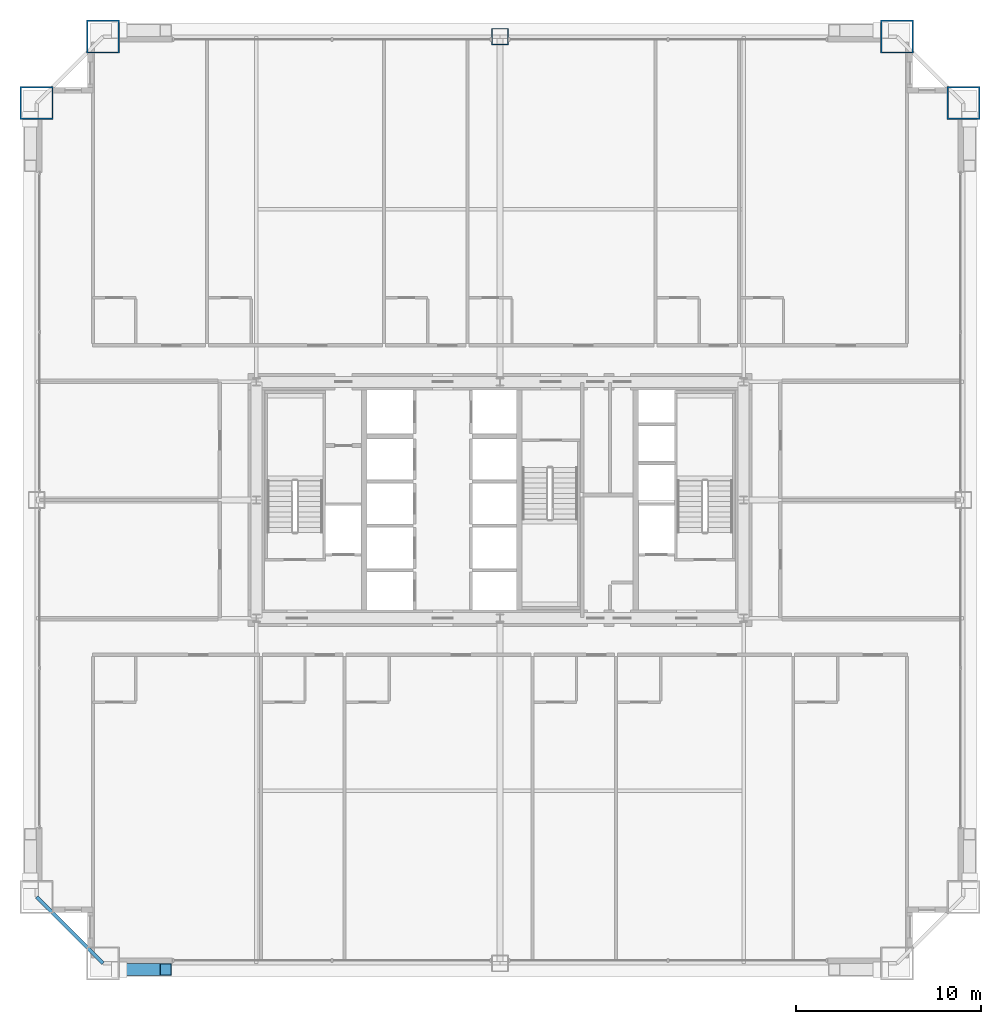
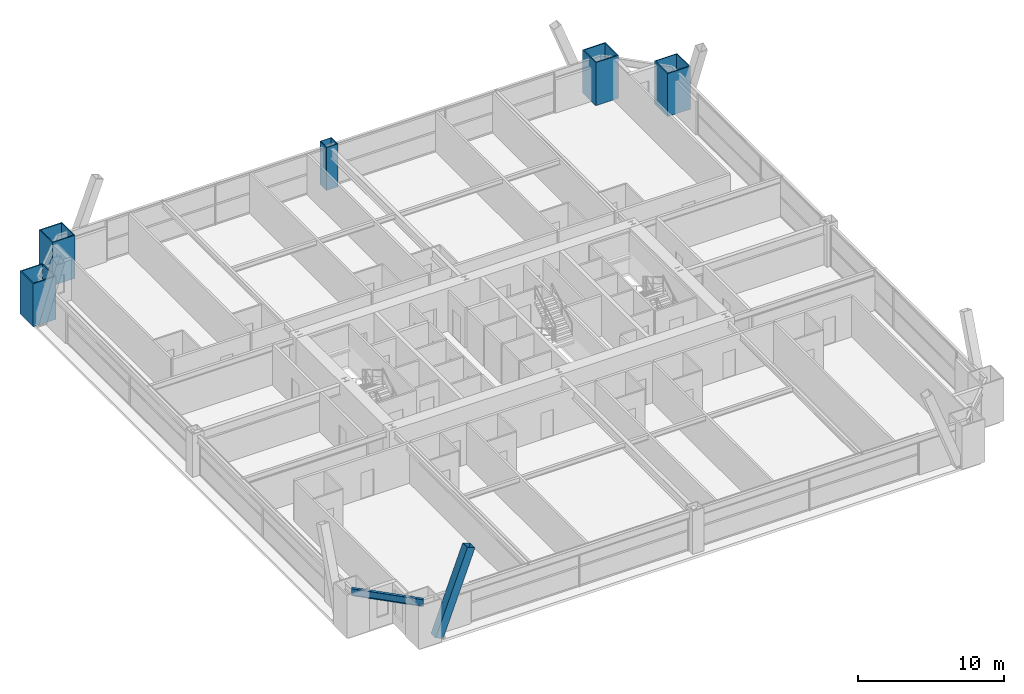
# One storey, part 2 of 43: 5 columns, 1 beam, 1 member.
"""IFC4 building model written with IfcOpenShell, lengths in metres."""

from ifc_helpers import new_model, si_unit, direction, frame, origin, origin_2d, place, context, subcontext, project, spatial, hollow_rectangle, i_section, extrude, source, transform, mapped, material, material_profile, profile_set, type_object, element, save


model = new_model("IFC4")

# Units and contexts
model_context = context("Model", 3, precision=1e-05, world=origin(), true_north=direction((0.0, 1.0)))
body_context = subcontext(model_context, "Body", "Model", "MODEL_VIEW")
ifc_project = project(units=[si_unit("LENGTHUNIT", "METRE"), si_unit("AREAUNIT", "SQUARE_METRE"), si_unit("VOLUMEUNIT", "CUBIC_METRE"), si_unit("PLANEANGLEUNIT", "RADIAN"), si_unit("MASSUNIT", "GRAM", prefix="KILO"), si_unit("THERMODYNAMICTEMPERATUREUNIT", "KELVIN"), si_unit("POWERUNIT", "WATT")], contexts=[model_context])

# Site, building, storey
site_placement = place(None, origin())
site = spatial("IfcSite", under=ifc_project, at=site_placement, CompositionType="ELEMENT")
building_placement = place(site_placement, origin())
building = spatial("IfcBuilding", under=site, at=building_placement, Name="Yuzanri Waterfront Tower", CompositionType="ELEMENT")
storey_placement = place(building_placement, frame((0.0, 0.0, 74.800048828125)))
storey = spatial("IfcBuildingStorey", under=building, at=storey_placement, Name="L19", CompositionType="ELEMENT", Elevation=74.800048828125)

# Columns
ifc_material_1 = material(Name="Steel Q420GJC", Category="steel")
ifc_material_profile_1 = material_profile(ifc_material_1, hollow_rectangle(XDim=1.800048828125, YDim=1.800048828125, WallThickness=0.080078125, at=origin_2d()), Name="RHS 1800x1800x80")
ifc_profile_set_1 = profile_set([ifc_material_profile_1], Name="Steel Q420GJC")
column_type_1 = type_object("IfcColumnType", Name="Mega Column Q420GJC RHS 1800x1800x80", PredefinedType="COLUMN", material=ifc_profile_set_1)
shared_shape_1 = source(origin(), body_context, "Body", "SweptSolid", [
    extrude(hollow_rectangle(XDim=1.800048828125, YDim=1.800048828125, WallThickness=0.080078125, at=origin_2d()), origin(), (0.0, 0.0, 1.0), 3.599853515625),
])
for number, where, z_axis, x_axis, name in (
    (1, (15.5, 50.89990234375, 0.0), (0.0, 0.0, 1.0), (1.0, 0.0, 0.0), "L19 Perimeter Mega Column N1"),
    (2, (58.5, 50.89990234375, 0.0), (0.0, 0.0, 1.0), (1.0, 0.0, 0.0), "L19 Perimeter Mega Column N3"),
    (3, (11.89990234375, 47.300048828125, 0.0), (0.0, 0.0, 1.0), (1.0, 0.0, 0.0), "L19 Perimeter Mega Column W3"),
    (4, (62.10009765625, 47.300048828125, 0.0), (0.0, 0.0, 1.0), (1.0, 0.0, 0.0), "L19 Perimeter Mega Column E3"),
):
    element("IfcColumn", number, at=place(storey_placement, frame(where, z_axis=z_axis, x_axis=x_axis)), inside=storey, type_object=column_type_1, Name=name, PredefinedType="COLUMN", context=body_context, shape_type="MappedRepresentation", body=[
        mapped(shared_shape_1, transform((0.0, 0.0, 0.0), scale=1.0)),
    ])
ifc_material_2 = material(Name="Steel Q390GJC", Category="steel")
ifc_material_profile_2 = material_profile(ifc_material_2, hollow_rectangle(XDim=0.89990234375, YDim=0.89990234375, WallThickness=0.0419921875, at=origin_2d()), Name="RHS 900x900x42")
ifc_profile_set_2 = profile_set([ifc_material_profile_2], Name="Steel Q390GJC")
column_type_2 = type_object("IfcColumnType", Name="Frame Column Q390GJC RHS 900x900x42", PredefinedType="COLUMN", material=ifc_profile_set_2)
shared_shape_2 = source(origin(), body_context, "Body", "SweptSolid", [
    extrude(hollow_rectangle(XDim=0.89990234375, YDim=0.89990234375, WallThickness=0.0419921875, at=origin_2d()), origin(), (0.0, 0.0, 1.0), 3.599853515625),
])
column_placement = place(storey_placement, frame((37.0, 50.89990234375, 0.0), z_axis=(0.0, 0.0, 1.0), x_axis=(1.0, 0.0, 0.0)))
element("IfcColumn", 5, at=column_placement, inside=storey, type_object=column_type_2, Name="L19 Perimeter Frame Column N2", PredefinedType="COLUMN", context=body_context, shape_type="MappedRepresentation", body=[
    mapped(shared_shape_2, transform((0.0, 0.0, 0.0), scale=1.0)),
])

# Beam
ifc_material_3 = material(Name="Steel Q355B", Category="steel")
ifc_material_profile_3 = material_profile(ifc_material_3, i_section(OverallWidth=0.199951171875, OverallDepth=0.60009765625, WebThickness=0.010986328125, FlangeThickness=0.01708984375, at=origin_2d()), Name="HN 600x200x11x17")
ifc_profile_set_3 = profile_set([ifc_material_profile_3], Name="Steel Q355B")
beam_type = type_object("IfcBeamType", Name="Perimeter Spandrel Q355B HN 600x200", PredefinedType="SPANDREL", material=ifc_profile_set_3)
shared_shape_3 = source(origin(), body_context, "Body", "SweptSolid", [
    extrude(i_section(OverallWidth=0.199951171875, OverallDepth=0.60009765625, WebThickness=0.010986328125, FlangeThickness=0.01708984375, at=origin_2d()), origin(), (0.0, 0.0, 1.0), 5.09130859375),
])
beam_placement = place(storey_placement, frame((11.89990234375, 4.300048828125, 3.079833984375), z_axis=(0.707106781187, -0.707106781187, 0.0), x_axis=(0.707106781187, 0.707106781187, 0.0)))
element("IfcBeam", 6, at=beam_placement, inside=storey, type_object=beam_type, Name="L19 Perimeter Spandrel W1-S1", PredefinedType="SPANDREL", context=body_context, shape_type="MappedRepresentation", body=[
    mapped(shared_shape_3, transform((0.0, 0.0, 0.0), scale=1.0)),
])

# Member
ifc_material_4 = material(Name="Steel Q420GJC", Category="steel")
ifc_material_profile_4 = material_profile(ifc_material_4, hollow_rectangle(XDim=0.64990234375, YDim=0.64990234375, WallThickness=0.028076171875, at=origin_2d()), Name="RHS 650x650x28")
ifc_profile_set_4 = profile_set([ifc_material_profile_4], Name="Steel Q420GJC")
member_type = type_object("IfcMemberType", Name="Mega Brace Lower Q420GJC RHS 650x650x28", PredefinedType="BRACE", material=ifc_profile_set_4)
shared_shape_4 = source(origin(), body_context, "Body", "SweptSolid", [
    extrude(hollow_rectangle(XDim=0.64990234375, YDim=0.64990234375, WallThickness=0.028076171875, at=origin_2d()), origin(), (0.0, 0.0, 1.0), 7.158203125),
])
member_placement = place(storey_placement, frame((16.3798828125, 0.360107421875, 0.179931640625), z_axis=(0.352046480343, 0.0, 0.935982518896), x_axis=(0.0, 1.0, 0.0)))
element("IfcMember", 7, at=member_placement, inside=storey, type_object=member_type, Name="L19-L20 Perimeter Mega-Brace S-L", PredefinedType="BRACE", context=body_context, shape_type="MappedRepresentation", body=[
    mapped(shared_shape_4, transform((0.0, 0.0, 0.0), scale=1.0)),
])

save(model, "model.ifc")
